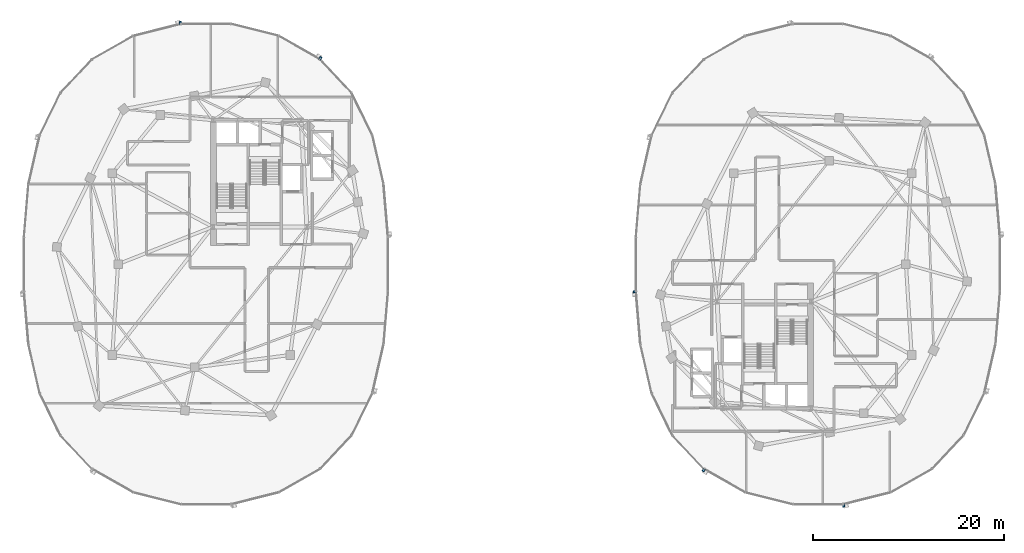
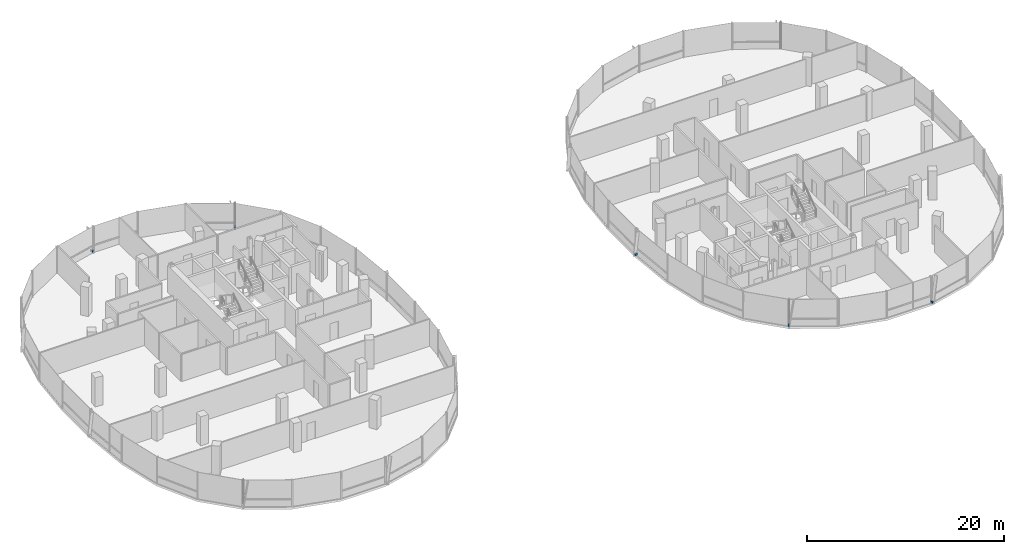
# One storey, part 19 of 25: 5 discrete accessories.
"""IFC4 building model written with IfcOpenShell, lengths in metres."""

from ifc_helpers import new_model, si_unit, direction, frame, origin, origin_2d, place, context, subcontext, project, spatial, rectangle, extrude, material, type_object, element, save


model = new_model("IFC4")

# Units and contexts
model_context = context("Model", 3, precision=1e-05, world=origin(), true_north=direction((0.0, 1.0)))
body_context = subcontext(model_context, "Body", "Model", "MODEL_VIEW")
ifc_project = project(units=[si_unit("LENGTHUNIT", "METRE"), si_unit("AREAUNIT", "SQUARE_METRE"), si_unit("VOLUMEUNIT", "CUBIC_METRE"), si_unit("PLANEANGLEUNIT", "RADIAN"), si_unit("MASSUNIT", "GRAM", prefix="KILO"), si_unit("THERMODYNAMICTEMPERATUREUNIT", "KELVIN"), si_unit("POWERUNIT", "WATT")], contexts=[model_context])

# Site, building, storey
site_placement = place(None, origin())
site = spatial("IfcSite", under=ifc_project, at=site_placement, CompositionType="ELEMENT")
building_placement = place(site_placement, origin())
building = spatial("IfcBuilding", under=site, at=building_placement, Name="Cundina Bronze Exchange", CompositionType="ELEMENT")
storey_placement = place(building_placement, frame((0.0, 0.0, 224.199951171875)))
storey = spatial("IfcBuildingStorey", under=building, at=storey_placement, Name="L59", CompositionType="ELEMENT", Elevation=224.199951171875)

# Discrete accessories
ifc_material = material(Name="Anodised Bronze Aluminium 6063-T6", Category="aluminium")
discrete_accessory_type = type_object("IfcDiscreteAccessoryType", Name="ACC-BRK-FIN", PredefinedType="BRACKET", material=ifc_material)
for number, where, z_axis, x_axis, name in (
    (1, (-20.038818359375, 21.539794921875, 0.10009765625), (0.0, 0.0, 1.0), (-0.869572506985, 0.493805280547, 0.0), "L59 Fin Support Bracket 5"),
    (2, (-34.678955078125, 25.23779296875, 0.10009765625), (0.0, 0.0, 1.0), (-0.969731542251, -0.244173577528, 0.0), "L59 Fin Support Bracket 1"),
    (3, (12.84521484375, -2.893798828125, 0.10009765625), (0.0, 0.0, 1.0), (0.083747411454, -0.996487015006, 0.0), "L59 Fin Support Bracket 1"),
    (4, (20.038818359375, -21.539794921875, 0.10009765625), (0.0, 0.0, 1.0), (0.869572506985, -0.493805280547, 0.0), "L59 Fin Support Bracket 5"),
    (5, (34.678955078125, -25.23779296875, 0.10009765625), (0.0, 0.0, 1.0), (0.969731542251, 0.244173577528, 0.0), "L59 Fin Support Bracket 1"),
):
    element("IfcDiscreteAccessory", number, at=place(storey_placement, frame(where, z_axis=z_axis, x_axis=x_axis)), inside=storey, type_object=discrete_accessory_type, Name=name, PredefinedType="BRACKET", context=body_context, shape_type="SweptSolid", body=[
        extrude(rectangle(XDim=0.219970703125, YDim=0.320068359375, at=origin_2d()), origin(), (0.0, 0.0, 1.0), 0.239990234375),
    ])

save(model, "model.ifc")
